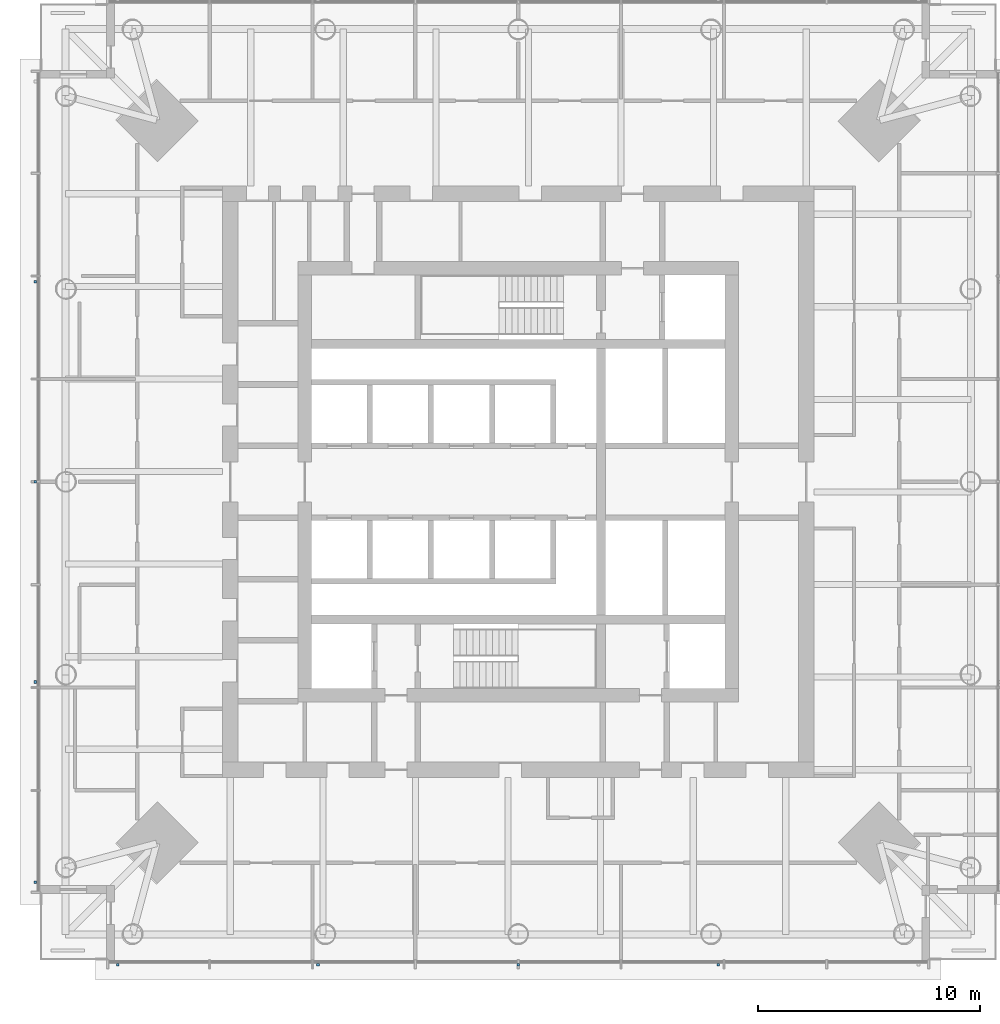
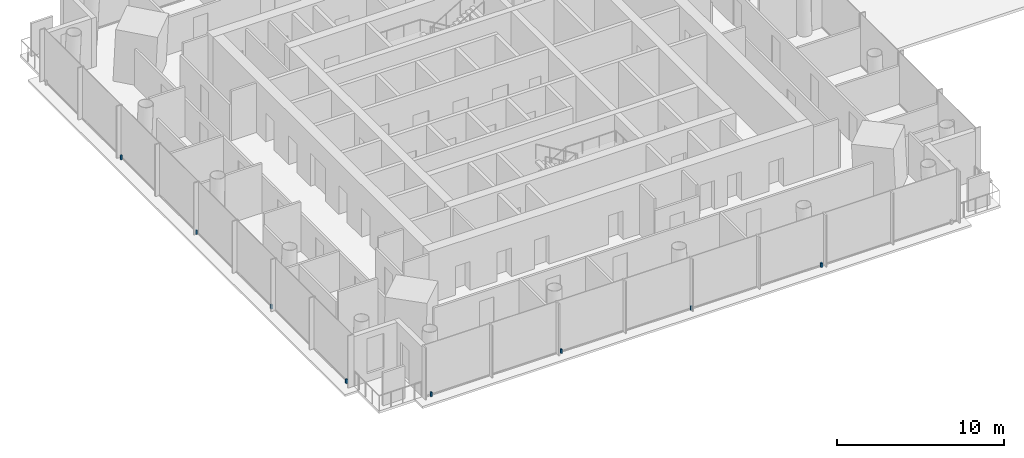
# One storey, part 10 of 16: 8 discrete accessories.
"""IFC4 building model written with IfcOpenShell, lengths in metres."""

from ifc_helpers import new_model, si_unit, direction, frame, origin, origin_2d, place, context, subcontext, project, spatial, rectangle, extrude, material, type_object, element, save


model = new_model("IFC4")

# Units and contexts
model_context = context("Model", 3, precision=1e-05, world=origin(), true_north=direction((0.0, 1.0)))
body_context = subcontext(model_context, "Body", "Model", "MODEL_VIEW")
ifc_project = project(units=[si_unit("LENGTHUNIT", "METRE"), si_unit("AREAUNIT", "SQUARE_METRE"), si_unit("VOLUMEUNIT", "CUBIC_METRE"), si_unit("PLANEANGLEUNIT", "RADIAN"), si_unit("MASSUNIT", "GRAM", prefix="KILO")], contexts=[model_context])

# Site, building, storey
site_placement = place(None, origin())
site = spatial("IfcSite", under=ifc_project, at=site_placement, CompositionType="ELEMENT")
building_placement = place(site_placement, origin())
building = spatial("IfcBuilding", under=site, at=building_placement, Name="Ostroluk Exchange", CompositionType="ELEMENT")
storey_placement = place(building_placement, frame((0.0, 0.0, 135.0)))
storey = spatial("IfcBuildingStorey", under=building, at=storey_placement, Name="L34", CompositionType="ELEMENT", Elevation=135.0)

# Discrete accessories
ifc_material = material(Name="Stainless steel", Category="steel")
discrete_accessory_type = type_object("IfcDiscreteAccessoryType", Name="Fall-arrest anchor PN-EN 795 type C", PredefinedType="USERDEFINED", material=ifc_material)
for number, where, z_axis, x_axis, name in (
    (1, (27.0, 24.2900390625, 0.0), (0.0, 0.0, 1.0), (1.0, 0.0, 0.0), "Fall-arrest anchor L34 south 1"),
    (2, (36.0, 24.2900390625, 0.0), (0.0, 0.0, 1.0), (1.0, 0.0, 0.0), "Fall-arrest anchor L34 south 2"),
    (3, (45.0, 24.2900390625, 0.0), (0.0, 0.0, 1.0), (1.0, 0.0, 0.0), "Fall-arrest anchor L34 south 3"),
    (4, (54.0, 24.2900390625, 0.0), (0.0, 0.0, 1.0), (1.0, 0.0, 0.0), "Fall-arrest anchor L34 south 4"),
    (5, (23.2900390625, 28.0, 0.0), (0.0, 0.0, 1.0), (1.0, 0.0, 0.0), "Fall-arrest anchor L34 west 1"),
    (6, (23.2900390625, 37.0, 0.0), (0.0, 0.0, 1.0), (1.0, 0.0, 0.0), "Fall-arrest anchor L34 west 2"),
    (7, (23.2900390625, 46.0, 0.0), (0.0, 0.0, 1.0), (1.0, 0.0, 0.0), "Fall-arrest anchor L34 west 3"),
    (8, (23.2900390625, 55.0, 0.0), (0.0, 0.0, 1.0), (1.0, 0.0, 0.0), "Fall-arrest anchor L34 west 4"),
):
    element("IfcDiscreteAccessory", number, at=place(storey_placement, frame(where, z_axis=z_axis, x_axis=x_axis)), inside=storey, type_object=discrete_accessory_type, Name=name, ObjectType="FALL ARREST ANCHOR", PredefinedType="USERDEFINED", context=body_context, shape_type="SweptSolid", body=[
        extrude(rectangle(XDim=0.1201171875, YDim=0.1201171875, at=origin_2d()), origin(), (0.0, 0.0, 1.0), 0.300048828125),
    ])

save(model, "model.ifc")
